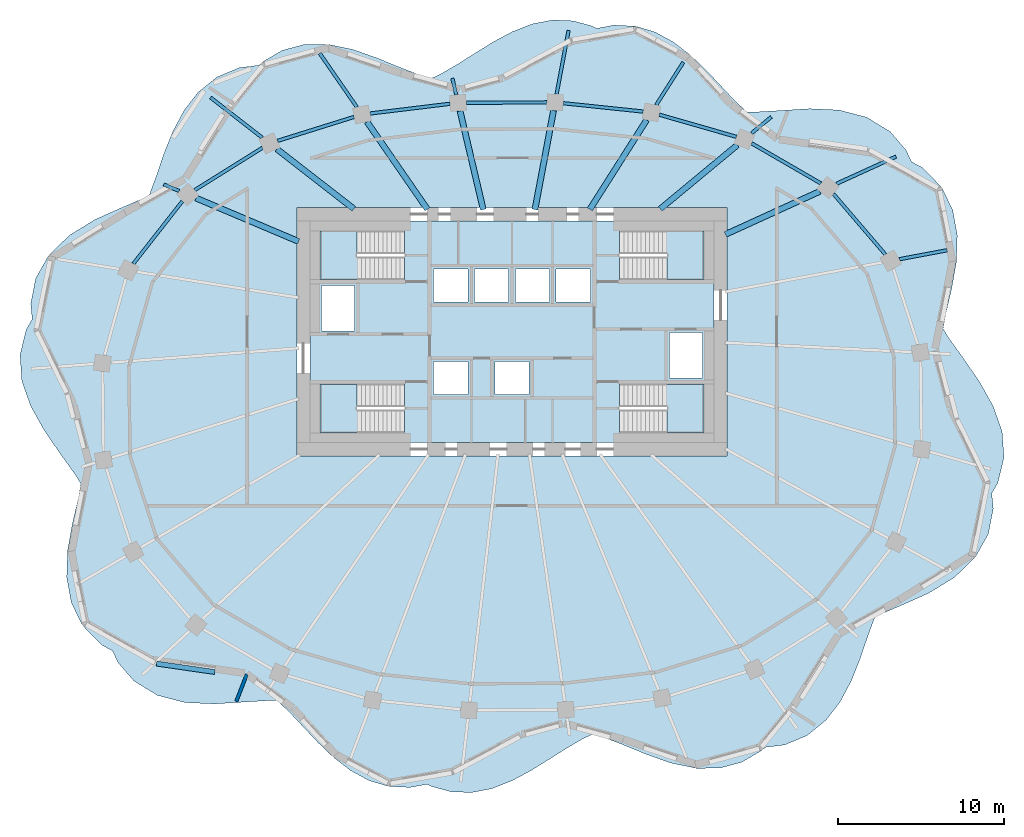
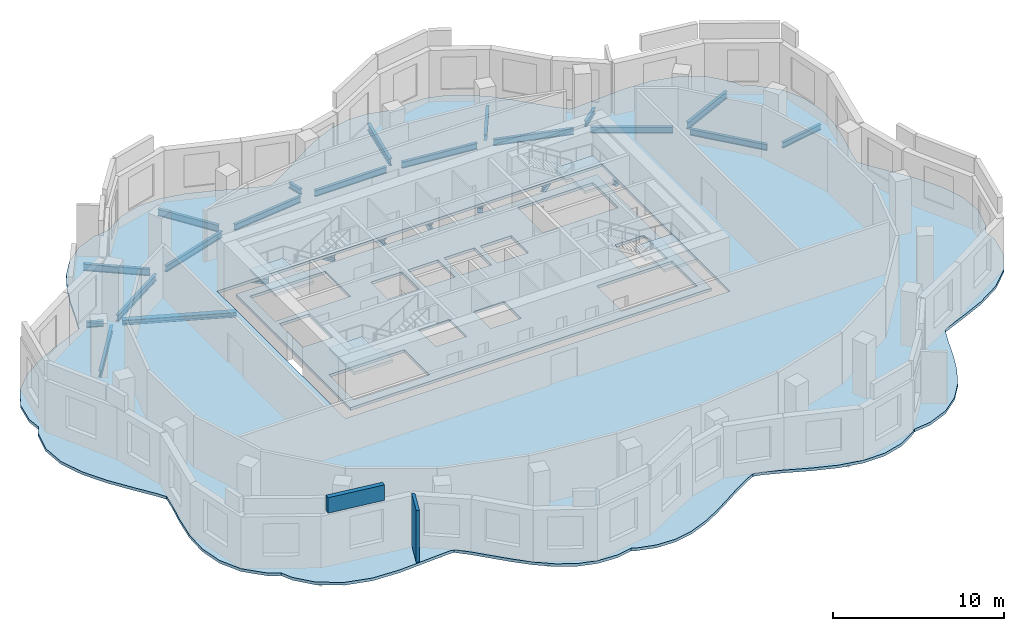
# One storey, part 2 of 8: 26 beams, 6 slabs, 2 walls, 4 elements without a shape of their own.
"""IFC4 building model written with IfcOpenShell, lengths in metres."""

from ifc_helpers import new_model, si_unit, direction, frame, frame_2d, origin, origin_2d, place, context, subcontext, project, spatial, polyline, rectangle, i_section, outline, extrude, material, layer, layer_set, material_profile, profile_set, type_object, element, aggregate, save


model = new_model("IFC4")

# Units and contexts
model_context = context("Model", 3, precision=1e-05, world=origin(), true_north=direction((0.0, 1.0)))
body_context = subcontext(model_context, "Body", "Model", "MODEL_VIEW")
ifc_project = project(units=[si_unit("LENGTHUNIT", "METRE"), si_unit("AREAUNIT", "SQUARE_METRE"), si_unit("VOLUMEUNIT", "CUBIC_METRE"), si_unit("PLANEANGLEUNIT", "RADIAN"), si_unit("MASSUNIT", "GRAM", prefix="KILO")], contexts=[model_context])

# Site, building, storey
site_placement = place(None, origin())
site = spatial("IfcSite", under=ifc_project, at=site_placement, CompositionType="ELEMENT")
building_placement = place(site_placement, origin())
building = spatial("IfcBuilding", under=site, at=building_placement, Name="Rubra Terraces Tower", CompositionType="ELEMENT")
storey_placement = place(building_placement, frame((0.0, 0.0, 193.5)))
storey = spatial("IfcBuildingStorey", under=building, at=storey_placement, Name="L47", CompositionType="ELEMENT", Elevation=193.5)

# Beams
ifc_material_1 = material(Name="Steel Q355B", Category="steel")
ifc_material_profile_1 = material_profile(ifc_material_1, i_section(OverallWidth=0.199951171875, OverallDepth=0.39990234375, WebThickness=0.008056640625, FlangeThickness=0.012939453125, at=origin_2d()), Name="HN 400x200x8x13")
ifc_profile_set_1 = profile_set([ifc_material_profile_1], Name="Steel Q355B")
beam_type_1 = type_object("IfcBeamType", Name="CANTILEVER BEAM HN 400x200x8x13", PredefinedType="BEAM", material=ifc_profile_set_1)
beam_1_placement = place(storey_placement, frame((23.39794921875, 8.884033203125, -0.39990234375), z_axis=(0.982856170911, 0.184373933356, 0.0), x_axis=(-0.184373933356, 0.982856170911, 0.0)))
element("IfcBeam", 1, at=beam_1_placement, inside=storey, type_object=beam_type_1, Name="beam-L47-cant-02", PredefinedType="BEAM", context=body_context, shape_type="SweptSolid", body=[
    extrude(i_section(OverallWidth=0.199951171875, OverallDepth=0.39990234375, WebThickness=0.008056640625, FlangeThickness=0.012939453125, at=origin_2d()), origin(), (0.0, 0.0, 1.0), 2.934326171875),
])
beam_2_placement = place(storey_placement, frame((14.47509765625, 16.4951171875, -0.39990234375), z_axis=(0.769894720429, 0.638170917119, 0.0), x_axis=(-0.638170917119, 0.769894720429, 0.0)))
element("IfcBeam", 2, at=beam_2_placement, inside=storey, type_object=beam_type_1, Name="beam-L47-cant-04", PredefinedType="BEAM", context=body_context, shape_type="SweptSolid", body=[
    extrude(i_section(OverallWidth=0.199951171875, OverallDepth=0.39990234375, WebThickness=0.008056640625, FlangeThickness=0.012939453125, at=origin_2d()), origin(), (0.0, 0.0, 1.0), 1.540283203125),
])
beam_3_placement = place(storey_placement, frame((8.7099609375, 18.201904296875, -0.39990234375), z_axis=(0.536555231363, 0.843865204696, 0.0), x_axis=(-0.843865204696, 0.536555231363, 0.0)))
element("IfcBeam", 3, at=beam_3_placement, inside=storey, type_object=beam_type_1, Name="beam-L47-cant-05", PredefinedType="BEAM", context=body_context, shape_type="SweptSolid", body=[
    extrude(i_section(OverallWidth=0.199951171875, OverallDepth=0.39990234375, WebThickness=0.008056640625, FlangeThickness=0.012939453125, at=origin_2d()), origin(), (0.0, 0.0, 1.0), 3.05859375),
])
ifc_material_profile_2 = material_profile(ifc_material_1, i_section(OverallWidth=0.198974609375, OverallDepth=0.49609375, WebThickness=0.009033203125, FlangeThickness=0.013916015625, at=origin_2d()), Name="HN 496x199x9x14")
ifc_profile_set_2 = profile_set([ifc_material_profile_2], Name="Steel Q355B")
beam_type_2 = type_object("IfcBeamType", Name="CANTILEVER BEAM HN 496x199x9x14", PredefinedType="BEAM", material=ifc_profile_set_2)
beam_4_placement = place(storey_placement, frame((19.596923828125, 13.43896484375, -0.447998046875), z_axis=(0.909745347317, 0.415166717157, 0.0), x_axis=(-0.415166717157, 0.909745347317, 0.0)))
element("IfcBeam", 4, at=beam_4_placement, inside=storey, type_object=beam_type_2, Name="beam-L47-cant-03", PredefinedType="BEAM", context=body_context, shape_type="SweptSolid", body=[
    extrude(i_section(OverallWidth=0.198974609375, OverallDepth=0.49609375, WebThickness=0.009033203125, FlangeThickness=0.013916015625, at=origin_2d()), origin(), (0.0, 0.0, 1.0), 3.950439453125),
])
beam_5_placement = place(storey_placement, frame((2.695068359375, 18.85400390625, -0.447998046875), z_axis=(0.184533441982, 0.982826235298, 0.0), x_axis=(-0.982826235298, 0.184533441982, 0.0)))
element("IfcBeam", 5, at=beam_5_placement, inside=storey, type_object=beam_type_2, Name="beam-L47-cant-06", PredefinedType="BEAM", context=body_context, shape_type="SweptSolid", body=[
    extrude(i_section(OverallWidth=0.198974609375, OverallDepth=0.49609375, WebThickness=0.009033203125, FlangeThickness=0.013916015625, at=origin_2d()), origin(), (0.0, 0.0, 1.0), 3.912109375),
])
beam_6_placement = place(storey_placement, frame((-9.3701171875, 18.070068359375, -0.447998046875), z_axis=(-0.568216621414, 0.822879013676, 0.0), x_axis=(-0.822879013676, -0.568216621414, 0.0)))
element("IfcBeam", 6, at=beam_6_placement, inside=storey, type_object=beam_type_2, Name="beam-L47-cant-08", PredefinedType="BEAM", context=body_context, shape_type="SweptSolid", body=[
    extrude(i_section(OverallWidth=0.198974609375, OverallDepth=0.49609375, WebThickness=0.009033203125, FlangeThickness=0.013916015625, at=origin_2d()), origin(), (0.0, 0.0, 1.0), 3.95068359375),
])
beam_7_placement = place(storey_placement, frame((-15.087890625, 16.22705078125, -0.447998046875), z_axis=(-0.789618379303, 0.61359825217, 0.0), x_axis=(-0.61359825217, -0.789618379303, 0.0)))
element("IfcBeam", 7, at=beam_7_placement, inside=storey, type_object=beam_type_2, Name="beam-L47-cant-09", PredefinedType="BEAM", context=body_context, shape_type="SweptSolid", body=[
    extrude(i_section(OverallWidth=0.198974609375, OverallDepth=0.49609375, WebThickness=0.009033203125, FlangeThickness=0.013916015625, at=origin_2d()), origin(), (0.0, 0.0, 1.0), 3.9501953125),
])
ifc_material_profile_3 = material_profile(ifc_material_1, i_section(OverallWidth=0.199951171875, OverallDepth=0.39990234375, WebThickness=0.008056640625, FlangeThickness=0.012939453125, at=origin_2d()), Name="HN 400x200x8x13")
ifc_profile_set_3 = profile_set([ifc_material_profile_3], Name="Steel Q355B")
beam_type_3 = type_object("IfcBeamType", Name="CANTILEVER STUB HN 400x200x8x13", PredefinedType="BEAM", material=ifc_profile_set_3)
beam_8_placement = place(storey_placement, frame((-3.3701171875, 18.823974609375, -0.39990234375), z_axis=(-0.228798709465, 0.973473754421, 0.0), x_axis=(-0.973473754421, -0.228798709465, 0.0)))
element("IfcBeam", 8, at=beam_8_placement, inside=storey, type_object=beam_type_3, Name="beam-L47-cant-07", PredefinedType="BEAM", context=body_context, shape_type="SweptSolid", body=[
    extrude(i_section(OverallWidth=0.199951171875, OverallDepth=0.39990234375, WebThickness=0.008056640625, FlangeThickness=0.012939453125, at=origin_2d()), origin(), (0.0, 0.0, 1.0), 1.01806640625),
])
beam_9_placement = place(storey_placement, frame((-20.10205078125, 13.0048828125, -0.39990234375), z_axis=(-0.920750248857, 0.390152507654, 0.0), x_axis=(-0.390152507654, -0.920750248857, 0.0)))
element("IfcBeam", 9, at=beam_9_placement, inside=storey, type_object=beam_type_3, Name="beam-L47-cant-10", PredefinedType="BEAM", context=body_context, shape_type="SweptSolid", body=[
    extrude(i_section(OverallWidth=0.199951171875, OverallDepth=0.39990234375, WebThickness=0.008056640625, FlangeThickness=0.012939453125, at=origin_2d()), origin(), (0.0, 0.0, 1.0), 1.010009765625),
])
ifc_material_profile_4 = material_profile(ifc_material_1, i_section(OverallWidth=0.35009765625, OverallDepth=0.35009765625, WebThickness=0.011962890625, FlangeThickness=0.01904296875, at=origin_2d()), Name="HW 350x350x12x19")
ifc_profile_set_4 = profile_set([ifc_material_profile_4], Name="Steel Q355B")
beam_type_4 = type_object("IfcBeamType", Name="FLOOR BEAM HW 350x350x12x19", PredefinedType="BEAM", material=ifc_profile_set_4)
beam_10_placement = place(storey_placement, frame((18.5869140625, 12.97900390625, -0.375), z_axis=(-0.909756526533, -0.415142219523, 0.0), x_axis=(0.415142219523, -0.909756526533, 0.0)))
element("IfcBeam", 10, at=beam_10_placement, inside=storey, type_object=beam_type_4, Name="beam-L47-floor-03", PredefinedType="BEAM", context=body_context, shape_type="SweptSolid", body=[
    extrude(i_section(OverallWidth=0.35009765625, OverallDepth=0.35009765625, WebThickness=0.011962890625, FlangeThickness=0.01904296875, at=origin_2d()), origin(), (0.0, 0.0, 1.0), 6.2607421875),
])
beam_11_placement = place(storey_placement, frame((13.60888671875, 15.777099609375, -0.375), z_axis=(-0.769987518392, -0.638058948312, 0.0), x_axis=(0.638058948312, -0.769987518392, 0.0)))
element("IfcBeam", 11, at=beam_11_placement, inside=storey, type_object=beam_type_4, Name="beam-L47-floor-04", PredefinedType="BEAM", context=body_context, shape_type="SweptSolid", body=[
    extrude(i_section(OverallWidth=0.35009765625, OverallDepth=0.35009765625, WebThickness=0.011962890625, FlangeThickness=0.01904296875, at=origin_2d()), origin(), (0.0, 0.0, 1.0), 6.040283203125),
])
beam_12_placement = place(storey_placement, frame((8.134033203125, 17.2958984375, -0.375), z_axis=(-0.536509861106, -0.843894050776, 0.0), x_axis=(0.843894050776, -0.536509861106, 0.0)))
element("IfcBeam", 12, at=beam_12_placement, inside=storey, type_object=beam_type_4, Name="beam-L47-floor-05", PredefinedType="BEAM", context=body_context, shape_type="SweptSolid", body=[
    extrude(i_section(OverallWidth=0.35009765625, OverallDepth=0.35009765625, WebThickness=0.011962890625, FlangeThickness=0.01904296875, at=origin_2d()), origin(), (0.0, 0.0, 1.0), 6.395263671875),
])
beam_13_placement = place(storey_placement, frame((2.509033203125, 17.862060546875, -0.375), z_axis=(-0.184574398021, -0.982818544593, 0.0), x_axis=(0.982818544593, -0.184574398021, 0.0)))
element("IfcBeam", 13, at=beam_13_placement, inside=storey, type_object=beam_type_4, Name="beam-L47-floor-06", PredefinedType="BEAM", context=body_context, shape_type="SweptSolid", body=[
    extrude(i_section(OverallWidth=0.35009765625, OverallDepth=0.35009765625, WebThickness=0.011962890625, FlangeThickness=0.01904296875, at=origin_2d()), origin(), (0.0, 0.0, 1.0), 6.08447265625),
])
beam_14_placement = place(storey_placement, frame((-3.137939453125, 17.8359375, -0.375), z_axis=(0.229070485592, -0.973409837957, 0.0), x_axis=(0.973409837957, 0.229070485592, 0.0)))
element("IfcBeam", 14, at=beam_14_placement, inside=storey, type_object=beam_type_4, Name="beam-L47-floor-07", PredefinedType="BEAM", context=body_context, shape_type="SweptSolid", body=[
    extrude(i_section(OverallWidth=0.35009765625, OverallDepth=0.35009765625, WebThickness=0.011962890625, FlangeThickness=0.01904296875, at=origin_2d()), origin(), (0.0, 0.0, 1.0), 6.115478515625),
])
beam_15_placement = place(storey_placement, frame((-8.756103515625, 17.179931640625, -0.375), z_axis=(0.568186422001, -0.822899866238, 0.0), x_axis=(0.822899866238, 0.568186422001, 0.0)))
element("IfcBeam", 15, at=beam_15_placement, inside=storey, type_object=beam_type_4, Name="beam-L47-floor-08", PredefinedType="BEAM", context=body_context, shape_type="SweptSolid", body=[
    extrude(i_section(OverallWidth=0.35009765625, OverallDepth=0.35009765625, WebThickness=0.011962890625, FlangeThickness=0.01904296875, at=origin_2d()), origin(), (0.0, 0.0, 1.0), 6.415283203125),
])
beam_16_placement = place(storey_placement, frame((-14.197998046875, 15.534912109375, -0.375), z_axis=(0.789548898228, -0.613687654517, 0.0), x_axis=(0.613687654517, 0.789548898228, 0.0)))
element("IfcBeam", 16, at=beam_16_placement, inside=storey, type_object=beam_type_4, Name="beam-L47-floor-09", PredefinedType="BEAM", context=body_context, shape_type="SweptSolid", body=[
    extrude(i_section(OverallWidth=0.35009765625, OverallDepth=0.35009765625, WebThickness=0.011962890625, FlangeThickness=0.01904296875, at=origin_2d()), origin(), (0.0, 0.0, 1.0), 5.880615234375),
])
beam_17_placement = place(storey_placement, frame((-19.083984375, 12.574951171875, -0.375), z_axis=(0.92097476483, -0.38962223056, 0.0), x_axis=(0.38962223056, 0.92097476483, 0.0)))
element("IfcBeam", 17, at=beam_17_placement, inside=storey, type_object=beam_type_4, Name="beam-L47-floor-10", PredefinedType="BEAM", context=body_context, shape_type="SweptSolid", body=[
    extrude(i_section(OverallWidth=0.35009765625, OverallDepth=0.35009765625, WebThickness=0.011962890625, FlangeThickness=0.01904296875, at=origin_2d()), origin(), (0.0, 0.0, 1.0), 6.7265625),
])
ifc_material_profile_5 = material_profile(ifc_material_1, i_section(OverallWidth=0.198974609375, OverallDepth=0.446044921875, WebThickness=0.008056640625, FlangeThickness=0.011962890625, at=origin_2d()), Name="HN 446x199x8x12")
ifc_profile_set_5 = profile_set([ifc_material_profile_5], Name="Steel Q355B")
beam_type_5 = type_object("IfcBeamType", Name="SPANDREL BEAM HN 446x199x8x12", PredefinedType="SPANDREL", material=ifc_profile_set_5)
beam_18_placement = place(storey_placement, frame((22.547119140625, 9.174072265625, -0.423095703125), z_axis=(-0.650372836218, 0.759615148552, 0.0), x_axis=(-0.759615148552, -0.650372836218, 0.0)))
element("IfcBeam", 18, at=beam_18_placement, inside=storey, type_object=beam_type_5, Name="beam-L47-spandrel-02", PredefinedType="SPANDREL", context=body_context, shape_type="SweptSolid", body=[
    extrude(i_section(OverallWidth=0.198974609375, OverallDepth=0.446044921875, WebThickness=0.008056640625, FlangeThickness=0.011962890625, at=origin_2d()), origin(), (0.0, 0.0, 1.0), 4.804931640625),
])
beam_19_placement = place(storey_placement, frame((18.653076171875, 13.462890625, -0.423095703125), z_axis=(-0.865153680787, 0.501506838059, 0.0), x_axis=(-0.501506838059, -0.865153680787, 0.0)))
element("IfcBeam", 19, at=beam_19_placement, inside=storey, type_object=beam_type_5, Name="beam-L47-spandrel-03", PredefinedType="SPANDREL", context=body_context, shape_type="SweptSolid", body=[
    extrude(i_section(OverallWidth=0.198974609375, OverallDepth=0.446044921875, WebThickness=0.008056640625, FlangeThickness=0.011962890625, at=origin_2d()), origin(), (0.0, 0.0, 1.0), 4.82568359375),
])
beam_20_placement = place(storey_placement, frame((13.55810546875, 16.27490234375, -0.423095703125), z_axis=(-0.961171164323, 0.275952881621, 0.0), x_axis=(-0.275952881621, -0.961171164323, 0.0)))
element("IfcBeam", 20, at=beam_20_placement, inside=storey, type_object=beam_type_5, Name="beam-L47-spandrel-04", PredefinedType="SPANDREL", context=body_context, shape_type="SweptSolid", body=[
    extrude(i_section(OverallWidth=0.198974609375, OverallDepth=0.446044921875, WebThickness=0.008056640625, FlangeThickness=0.011962890625, at=origin_2d()), origin(), (0.0, 0.0, 1.0), 4.842041015625),
])
beam_21_placement = place(storey_placement, frame((7.923095703125, 17.801025390625, -0.423095703125), z_axis=(-0.994565426955, 0.104113454971, 0.0), x_axis=(-0.104113454971, -0.994565426955, 0.0)))
element("IfcBeam", 21, at=beam_21_placement, inside=storey, type_object=beam_type_5, Name="beam-L47-spandrel-05", PredefinedType="SPANDREL", context=body_context, shape_type="SweptSolid", body=[
    extrude(i_section(OverallWidth=0.198974609375, OverallDepth=0.446044921875, WebThickness=0.008056640625, FlangeThickness=0.011962890625, at=origin_2d()), origin(), (0.0, 0.0, 1.0), 4.849365234375),
])
beam_22_placement = place(storey_placement, frame((2.10107421875, 18.35595703125, -0.423095703125), z_axis=(-0.999987852299, -0.004929021704, 0.0), x_axis=(0.004929021704, -0.999987852299, 0.0)))
element("IfcBeam", 22, at=beam_22_placement, inside=storey, type_object=beam_type_5, Name="beam-L47-spandrel-06", PredefinedType="SPANDREL", context=body_context, shape_type="SweptSolid", body=[
    extrude(i_section(OverallWidth=0.198974609375, OverallDepth=0.446044921875, WebThickness=0.008056640625, FlangeThickness=0.011962890625, at=origin_2d()), origin(), (0.0, 0.0, 1.0), 4.85400390625),
])
beam_23_placement = place(storey_placement, frame((-3.7509765625, 18.27001953125, -0.423095703125), z_axis=(-0.992698018573, -0.120626049929, 0.0), x_axis=(0.120626049929, -0.992698018573, 0.0)))
element("IfcBeam", 23, at=beam_23_placement, inside=storey, type_object=beam_type_5, Name="beam-L47-spandrel-07", PredefinedType="SPANDREL", context=body_context, shape_type="SweptSolid", body=[
    extrude(i_section(OverallWidth=0.198974609375, OverallDepth=0.446044921875, WebThickness=0.008056640625, FlangeThickness=0.011962890625, at=origin_2d()), origin(), (0.0, 0.0, 1.0), 4.849365234375),
])
beam_24_placement = place(storey_placement, frame((-9.5419921875, 17.47509765625, -0.423095703125), z_axis=(-0.954462027342, -0.298332429282, 0.0), x_axis=(0.298332429282, -0.954462027342, 0.0)))
element("IfcBeam", 24, at=beam_24_placement, inside=storey, type_object=beam_type_5, Name="beam-L47-spandrel-08", PredefinedType="SPANDREL", context=body_context, shape_type="SweptSolid", body=[
    extrude(i_section(OverallWidth=0.198974609375, OverallDepth=0.446044921875, WebThickness=0.008056640625, FlangeThickness=0.011962890625, at=origin_2d()), origin(), (0.0, 0.0, 1.0), 4.840576171875),
])
beam_25_placement = place(storey_placement, frame((-15.071044921875, 15.614013671875, -0.423095703125), z_axis=(-0.848183088492, -0.529703170083, 0.0), x_axis=(0.529703170083, -0.848183088492, 0.0)))
element("IfcBeam", 25, at=beam_25_placement, inside=storey, type_object=beam_type_5, Name="beam-L47-spandrel-09", PredefinedType="SPANDREL", context=body_context, shape_type="SweptSolid", body=[
    extrude(i_section(OverallWidth=0.198974609375, OverallDepth=0.446044921875, WebThickness=0.008056640625, FlangeThickness=0.011962890625, at=origin_2d()), origin(), (0.0, 0.0, 1.0), 4.8232421875),
])
beam_26_placement = place(storey_placement, frame((-19.906005859375, 12.39111328125, -0.423095703125), z_axis=(-0.617060338015, -0.786915840004, 0.0), x_axis=(0.786915840004, -0.617060338015, 0.0)))
element("IfcBeam", 26, at=beam_26_placement, inside=storey, type_object=beam_type_5, Name="beam-L47-spandrel-10", PredefinedType="SPANDREL", context=body_context, shape_type="SweptSolid", body=[
    extrude(i_section(OverallWidth=0.198974609375, OverallDepth=0.446044921875, WebThickness=0.008056640625, FlangeThickness=0.011962890625, at=origin_2d()), origin(), (0.0, 0.0, 1.0), 4.8037109375),
])

# Slab
ifc_material_2 = material(Name="Concrete C40", Category="concrete")
ifc_layer_1 = layer(ifc_material_2, 0.199951171875)
ifc_layer_set_1 = layer_set([ifc_layer_1], Name="Concrete C40")
slab_type_1 = type_object("IfcSlabType", Name="Core floor slab 200 concrete", PredefinedType="FLOOR", material=ifc_layer_set_1)
slab_1_placement = place(storey_placement, frame((0.0, 0.0, -0.199951171875)))
element("IfcSlab", 27, at=slab_1_placement, inside=storey, type_object=slab_type_1, Name="CORE FLOOR SLAB L47", PredefinedType="FLOOR", context=body_context, shape_type="SweptSolid", body=[
    extrude(outline(polyline([(-12.199951171875, -2.199951171875), (-12.199951171875, 11.199951171875), (12.199951171875, 11.199951171875), (12.199951171875, -2.199951171875), (-12.199951171875, -2.199951171875)]), holes=[polyline([(11.597900390625, 1.347900390625), (6.501953125, 1.347900390625), (6.501953125, -1.597900390625), (11.597900390625, -1.597900390625), (11.597900390625, 1.347900390625)]), polyline([(11.597900390625, 7.652099609375), (11.597900390625, 10.597900390625), (6.501953125, 10.597900390625), (6.501953125, 7.652099609375), (11.597900390625, 7.652099609375)]), polyline([(9.5, 1.699951171875), (11.5, 1.699951171875), (11.5, 4.449951171875), (9.5, 4.449951171875), (9.5, 1.699951171875)]), polyline([(4.75, 6.300048828125), (4.75, 8.300048828125), (2.64990234375, 8.300048828125), (2.64990234375, 6.300048828125), (4.75, 6.300048828125)]), polyline([(2.25, 8.300048828125), (0.199951171875, 8.300048828125), (0.199951171875, 6.300048828125), (2.25, 6.300048828125), (2.25, 8.300048828125)]), polyline([(1.02490234375, 0.699951171875), (1.02490234375, 2.699951171875), (-1.02490234375, 2.699951171875), (-1.02490234375, 0.699951171875), (1.02490234375, 0.699951171875)]), polyline([(-0.199951171875, 6.300048828125), (-0.199951171875, 8.300048828125), (-2.25, 8.300048828125), (-2.25, 6.300048828125), (-0.199951171875, 6.300048828125)]), polyline([(-4.75, 8.300048828125), (-4.75, 6.300048828125), (-2.64990234375, 6.300048828125), (-2.64990234375, 8.300048828125), (-4.75, 8.300048828125)]), polyline([(-2.64990234375, 0.699951171875), (-2.64990234375, 2.699951171875), (-4.75, 2.699951171875), (-4.75, 0.699951171875), (-2.64990234375, 0.699951171875)]), polyline([(-11.597900390625, -1.597900390625), (-6.501953125, -1.597900390625), (-6.501953125, 1.347900390625), (-11.597900390625, 1.347900390625), (-11.597900390625, -1.597900390625)]), polyline([(-11.597900390625, 10.597900390625), (-11.597900390625, 7.652099609375), (-6.501953125, 7.652099609375), (-6.501953125, 10.597900390625), (-11.597900390625, 10.597900390625)]), polyline([(-9.5, 4.550048828125), (-9.5, 7.300048828125), (-11.5, 7.300048828125), (-11.5, 4.550048828125), (-9.5, 4.550048828125)])]), origin(), (0.0, 0.0, 1.0), 0.199951171875),
])

# Stair, slab
stair_type = type_object("IfcStairType", Name="Core stair 1400", PredefinedType="HALF_TURN_STAIR", material=ifc_material_2)
stair_1_placement = place(storey_placement, origin())
stair_1 = element("IfcStair", 28, at=stair_1_placement, inside=storey, type_object=stair_type, Name="L47 Exit stair S1", PredefinedType="HALF_TURN_STAIR")
ifc_layer_2 = layer(ifc_material_2, 0.199951171875)
ifc_layer_set_2 = layer_set([ifc_layer_2], Name="Concrete C40")
slab_type_2 = type_object("IfcSlabType", Name="Core stair landing 200", PredefinedType="LANDING", material=ifc_layer_set_2)
slab_2_placement = place(storey_placement, frame((0.0, 0.0, 1.75)))
slab_2 = element("IfcSlab", 29, at=slab_2_placement, type_object=slab_type_2, Name="S1 landing 1", PredefinedType="LANDING", context=body_context, shape_type="SweptSolid", body=[
    extrude(outline(polyline([(-8.97998046875, -0.199951171875), (-8.97998046875, -1.60009765625), (-9.360107421875, -1.60009765625), (-9.3798828125, -1.60009765625), (-11.60009765625, -1.60009765625), (-11.60009765625, 1.35009765625), (-9.3798828125, 1.35009765625), (-9.35791015625, 1.35009765625), (-9.35791015625, -0.050048828125), (-9.360107421875, -0.050048828125), (-9.360107421875, -0.199951171875), (-8.97998046875, -0.199951171875)])), origin(), (0.0, 0.0, 1.0), 0.199951171875),
])
aggregate(stair_1, [slab_2])

stair_2_placement = place(storey_placement, origin())
stair_2 = element("IfcStair", 30, at=stair_2_placement, inside=storey, type_object=stair_type, Name="L47 Exit stair S2", PredefinedType="HALF_TURN_STAIR")
slab_3_placement = place(storey_placement, frame((0.0, 0.0, 1.75)))
slab_3 = element("IfcSlab", 31, at=slab_3_placement, type_object=slab_type_2, Name="S2 landing 1", PredefinedType="LANDING", context=body_context, shape_type="SweptSolid", body=[
    extrude(outline(polyline([(-8.97998046875, 9.050048828125), (-8.97998046875, 7.64990234375), (-9.3798828125, 7.64990234375), (-11.60009765625, 7.64990234375), (-11.60009765625, 10.60009765625), (-9.3798828125, 10.60009765625), (-9.360107421875, 10.60009765625), (-9.35791015625, 10.60009765625), (-9.35791015625, 9.199951171875), (-9.360107421875, 9.199951171875), (-9.360107421875, 9.050048828125), (-8.97998046875, 9.050048828125)])), origin(), (0.0, 0.0, 1.0), 0.199951171875),
])
aggregate(stair_2, [slab_3])

stair_3_placement = place(storey_placement, origin())
stair_3 = element("IfcStair", 32, at=stair_3_placement, inside=storey, type_object=stair_type, Name="L47 Exit stair S3", PredefinedType="HALF_TURN_STAIR")
slab_4_placement = place(storey_placement, frame((0.0, 0.0, 1.75)))
slab_4 = element("IfcSlab", 33, at=slab_4_placement, type_object=slab_type_2, Name="S3 landing 1", PredefinedType="LANDING", context=body_context, shape_type="SweptSolid", body=[
    extrude(outline(polyline([(9.360107421875, 9.050048828125), (9.360107421875, 9.199951171875), (8.97998046875, 9.199951171875), (8.97998046875, 10.60009765625), (9.360107421875, 10.60009765625), (9.3798828125, 10.60009765625), (11.60009765625, 10.60009765625), (11.60009765625, 7.64990234375), (9.3798828125, 7.64990234375), (9.35791015625, 7.64990234375), (9.35791015625, 9.050048828125), (9.360107421875, 9.050048828125)])), origin(), (0.0, 0.0, 1.0), 0.199951171875),
])
aggregate(stair_3, [slab_4])

stair_4_placement = place(storey_placement, origin())
stair_4 = element("IfcStair", 34, at=stair_4_placement, inside=storey, type_object=stair_type, Name="L47 Exit stair S4", PredefinedType="HALF_TURN_STAIR")
slab_5_placement = place(storey_placement, frame((0.0, 0.0, 1.75)))
slab_5 = element("IfcSlab", 35, at=slab_5_placement, type_object=slab_type_2, Name="S4 landing 1", PredefinedType="LANDING", context=body_context, shape_type="SweptSolid", body=[
    extrude(outline(polyline([(9.360107421875, -0.199951171875), (9.360107421875, -0.050048828125), (8.97998046875, -0.050048828125), (8.97998046875, 1.35009765625), (9.360107421875, 1.35009765625), (9.3798828125, 1.35009765625), (11.60009765625, 1.35009765625), (11.60009765625, -1.60009765625), (9.3798828125, -1.60009765625), (9.360107421875, -1.60009765625), (9.35791015625, -1.60009765625), (9.35791015625, -0.199951171875), (9.360107421875, -0.199951171875)])), origin(), (0.0, 0.0, 1.0), 0.199951171875),
])
aggregate(stair_4, [slab_5])

# Slab
ifc_layer_3 = layer(ifc_material_2, 0.199951171875)
ifc_layer_set_3 = layer_set([ifc_layer_3], Name="Concrete C40")
slab_type_3 = type_object("IfcSlabType", Name="FLOOR SLAB 200 COMPOSITE", PredefinedType="FLOOR", material=ifc_layer_set_3)
slab_6_placement = place(storey_placement, frame((0.0, 0.0, -0.199951171875)))
element("IfcSlab", 36, at=slab_6_placement, inside=storey, type_object=slab_type_3, Name="FLOOR SLAB L47", PredefinedType="FLOOR", context=body_context, shape_type="SweptSolid", body=[
    extrude(outline(polyline([(15.10009765625, -20.782958984375), (15.297119140625, -20.60009765625), (16.469970703125, -20.4541015625), (17.81298828125, -19.89404296875), (18.964111328125, -18.964111328125), (19.81591796875, -17.863037109375), (20.489013671875, -16.59912109375), (21.01904296875, -15.27099609375), (21.498046875, -13.864990234375), (21.919921875, -12.72900390625), (22.05810546875, -12.64990234375), (23.56298828125, -12.006103515625), (25.175048828125, -11.283935546875), (26.72509765625, -10.337890625), (28.0, -9.097900390625), (28.77099609375, -7.715087890625), (29.072021484375, -6.176025390625), (28.97998046875, -5.259033203125), (29.337890625, -4.64697265625), (29.717041015625, -3.10107421875), (29.60595703125, -1.52587890625), (29.06689453125, 0.0), (28.240966796875, 1.47998046875), (27.278076171875, 2.87890625), (26.34912109375, 4.173095703125), (26.041015625, 4.68603515625), (26.18994140625, 5.527099609375), (26.551025390625, 7.068115234375), (26.843994140625, 8.721923828125), (26.89794921875, 10.322021484375), (26.618896484375, 11.860107421875), (25.9541015625, 13.22412109375), (24.791015625, 14.4169921875), (24.135986328125, 14.76708984375), (23.7900390625, 15.491943359375), (22.839111328125, 16.593017578125), (21.4150390625, 17.4619140625), (19.748046875, 17.89501953125), (17.97607421875, 17.97607421875), (16.18408203125, 17.864013671875), (14.509033203125, 17.763916015625), (14.173095703125, 17.787109375), (13.430908203125, 18.487060546875), (12.596923828125, 19.3779296875), (11.72509765625, 20.303955078125), (10.798095703125, 21.19189453125), (9.7509765625, 22.001953125), (8.634033203125, 22.60888671875), (7.4599609375, 22.958984375), (6.156982421875, 23.02197265625), (5.1279296875, 22.8291015625), (4.843994140625, 22.967041015625), (3.68701171875, 23.281982421875), (2.450927734375, 23.33203125), (1.217041015625, 23.095947265625), (0.0, 22.616943359375), (-1.110107421875, 22.02294921875), (-2.2041015625, 21.34912109375), (-3.27392578125, 20.6708984375), (-4.283935546875, 20.08203125), (-4.864013671875, 19.80908203125), (-4.2451171875, 19.64501953125), (-5.419921875, 19.9560546875), (-6.633056640625, 20.4130859375), (-8.09912109375, 21.01806640625), (-9.613037109375, 21.552001953125), (-11.14208984375, 21.866943359375), (-12.552978515625, 21.85595703125), (-13.886962890625, 21.4951171875), (-15.10009765625, 20.782958984375), (-15.297119140625, 20.60009765625), (-16.469970703125, 20.4541015625), (-17.81298828125, 19.89404296875), (-18.964111328125, 18.964111328125), (-19.81591796875, 17.863037109375), (-20.489013671875, 16.59912109375), (-21.01904296875, 15.27099609375), (-21.498046875, 13.864990234375), (-21.919921875, 12.72900390625), (-22.05810546875, 12.64990234375), (-23.56298828125, 12.006103515625), (-25.175048828125, 11.283935546875), (-26.72509765625, 10.337890625), (-28.0, 9.097900390625), (-28.77099609375, 7.715087890625), (-29.072021484375, 6.176025390625), (-28.97998046875, 5.259033203125), (-29.337890625, 4.64697265625), (-29.717041015625, 3.10107421875), (-29.60595703125, 1.52587890625), (-29.06689453125, 0.0), (-28.240966796875, -1.47998046875), (-27.278076171875, -2.87890625), (-26.34912109375, -4.173095703125), (-26.041015625, -4.68603515625), (-26.18994140625, -5.527099609375), (-26.551025390625, -7.068115234375), (-26.843994140625, -8.721923828125), (-26.89794921875, -10.322021484375), (-26.618896484375, -11.860107421875), (-25.9541015625, -13.22412109375), (-24.791015625, -14.4169921875), (-24.135986328125, -14.76708984375), (-23.7900390625, -15.491943359375), (-22.839111328125, -16.593017578125), (-21.4150390625, -17.4619140625), (-19.748046875, -17.89501953125), (-17.97607421875, -17.97607421875), (-16.18408203125, -17.864013671875), (-14.509033203125, -17.763916015625), (-14.173095703125, -17.787109375), (-13.430908203125, -18.487060546875), (-12.596923828125, -19.3779296875), (-11.72509765625, -20.303955078125), (-10.798095703125, -21.19189453125), (-9.7509765625, -22.001953125), (-8.634033203125, -22.60888671875), (-7.4599609375, -22.958984375), (-6.156982421875, -23.02197265625), (-5.1279296875, -22.8291015625), (-4.843994140625, -22.967041015625), (-3.68701171875, -23.281982421875), (-2.450927734375, -23.33203125), (-1.217041015625, -23.095947265625), (0.0, -22.616943359375), (1.110107421875, -22.02294921875), (2.2041015625, -21.34912109375), (3.27392578125, -20.6708984375), (4.283935546875, -20.08203125), (4.864013671875, -19.80908203125), (4.2451171875, -19.64501953125), (5.419921875, -19.9560546875), (6.633056640625, -20.4130859375), (8.09912109375, -21.01806640625), (9.613037109375, -21.552001953125), (11.14208984375, -21.866943359375), (12.552978515625, -21.85595703125), (13.886962890625, -21.4951171875), (15.10009765625, -20.782958984375)]), holes=[polyline([(13.0, 12.0), (13.0, -3.0), (-13.0, -3.0), (-13.0, 12.0), (13.0, 12.0)])]), origin(), (0.0, 0.0, 1.0), 0.199951171875),
])

# Walls
ifc_material_3 = material(Name="Brick masonry red-brown", Category="masonry")
ifc_layer_4 = layer(ifc_material_3, 0.300048828125)
ifc_layer_set_4 = layer_set([ifc_layer_4], Name="Brick masonry red-brown")
wall_type_1 = type_object("IfcWallType", Name="Brick parapet 300", PredefinedType="PARAPET", material=ifc_layer_set_4)
wall_1_placement = place(storey_placement, frame((-21.470703125, -15.540771484375, 3.89990234375), z_axis=(0.0, 0.0, 1.0), x_axis=(0.989713234374, -0.143065417571, 0.0)))
element("IfcWall", 37, at=wall_1_placement, inside=storey, type_object=wall_type_1, Name="Parapet L47 bay 25", PredefinedType="PARAPET", context=body_context, shape_type="SweptSolid", body=[
    extrude(rectangle(XDim=3.5546875, YDim=0.300048828125, at=frame_2d((1.77734375, 0.0))), origin(), (0.0, 0.0, 1.0), 1.10009765625),
])
ifc_layer_5 = layer(ifc_material_3, 0.199951171875)
ifc_layer_set_5 = layer_set([ifc_layer_5], Name="Brick masonry red-brown")
wall_type_2 = type_object("IfcWallType", Name="Brick wind fin 200", PredefinedType="SOLIDWALL", material=ifc_layer_set_5)
wall_2_placement = place(storey_placement, frame((-16.01904296875, -16.195068359375, 0.0), z_axis=(0.0, 0.0, 1.0), x_axis=(-0.362641522028, -0.931928713208, 0.0)))
element("IfcWall", 38, at=wall_2_placement, inside=storey, type_object=wall_type_2, Name="Wind fin L47 16", PredefinedType="SOLIDWALL", context=body_context, shape_type="SweptSolid", body=[
    extrude(rectangle(XDim=1.749755859375, YDim=0.199951171875, at=frame_2d((0.875, 0.0))), origin(), (0.0, 0.0, 1.0), 3.699951171875),
])

save(model, "model.ifc")
